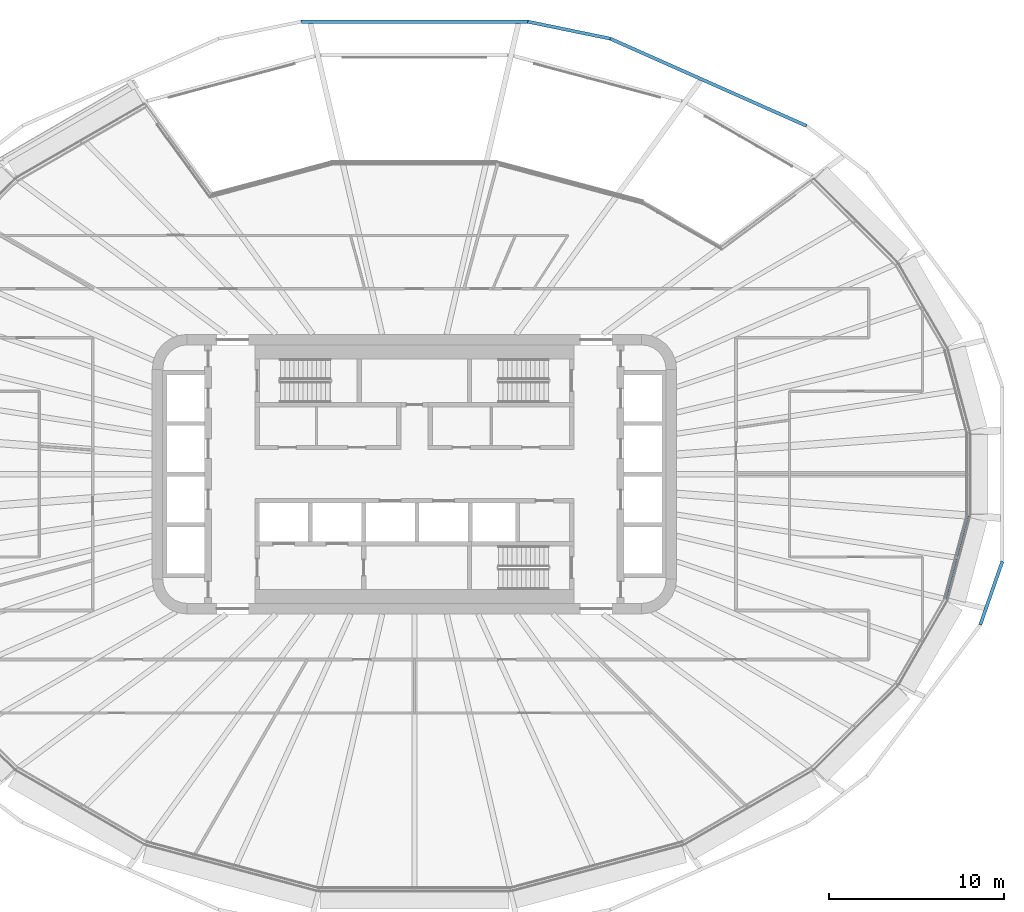
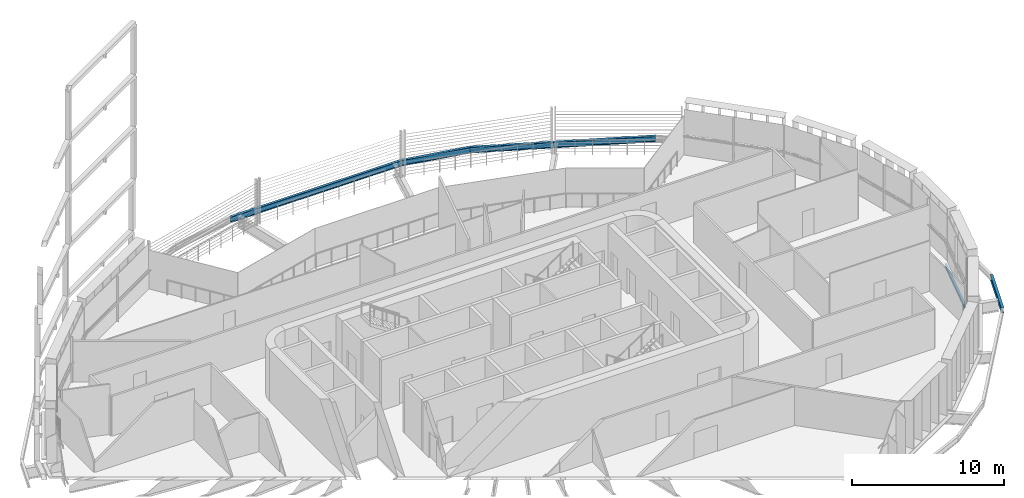
# One storey, part 10 of 25: 5 beams.
"""IFC4 building model written with IfcOpenShell, lengths in metres."""

from ifc_helpers import new_model, si_unit, direction, frame, origin, origin_2d, place, context, subcontext, project, spatial, i_section, extrude, material, material_profile, profile_set, type_object, element, save


model = new_model("IFC4")

# Units and contexts
model_context = context("Model", 3, precision=1e-05, world=origin(), true_north=direction((0.0, 1.0)))
body_context = subcontext(model_context, "Body", "Model", "MODEL_VIEW")
ifc_project = project(units=[si_unit("LENGTHUNIT", "METRE"), si_unit("AREAUNIT", "SQUARE_METRE"), si_unit("VOLUMEUNIT", "CUBIC_METRE"), si_unit("PLANEANGLEUNIT", "RADIAN"), si_unit("MASSUNIT", "GRAM", prefix="KILO")], contexts=[model_context])

# Site, building, storey
site_placement = place(None, origin())
site = spatial("IfcSite", under=ifc_project, at=site_placement, CompositionType="ELEMENT")
building_placement = place(site_placement, origin())
building = spatial("IfcBuilding", under=site, at=building_placement, Name="Sahrelin Media Tower", CompositionType="ELEMENT")
storey_placement = place(building_placement, frame((0.0, 0.0, 127.199951171875)))
storey = spatial("IfcBuildingStorey", under=building, at=storey_placement, Name="L25", CompositionType="ELEMENT", Elevation=127.199951171875)

# Beams
ifc_material = material(Name="Steel S355", Category="steel")
ifc_material_profile_1 = material_profile(ifc_material, i_section(OverallWidth=0.14599609375, OverallDepth=0.25146484375, WebThickness=0.006103515625, FlangeThickness=0.008544921875, FilletRadius=0.007568359375, at=origin_2d()), Name="UB 254x146x31")
ifc_profile_set_1 = profile_set([ifc_material_profile_1], Name="Steel S355")
beam_type_1 = type_object("IfcBeamType", Name="Edge beam EB1", PredefinedType="BEAM", material=ifc_profile_set_1)
beam_1_placement = place(storey_placement, frame((31.644287109375, -2.3701171875, -0.275634765625), z_axis=(-0.258806639616, -0.965929150244, 0.0), x_axis=(0.965929150244, -0.258806639616, 0.0)))
element("IfcBeam", 1, at=beam_1_placement, inside=storey, type_object=beam_type_1, Name="Edge beam L25-02", PredefinedType="BEAM", context=body_context, shape_type="SweptSolid", body=[
    extrude(i_section(OverallWidth=0.14599609375, OverallDepth=0.25146484375, WebThickness=0.006103515625, FlangeThickness=0.008544921875, FilletRadius=0.007568359375, at=origin_2d()), origin(), (0.0, 0.0, 1.0), 4.900634765625),
])
ifc_material_profile_2 = material_profile(ifc_material, i_section(OverallWidth=0.1904296875, OverallDepth=0.45703125, WebThickness=0.009033203125, FlangeThickness=0.014404296875, FilletRadius=0.01025390625, at=origin_2d()), Name="UB 457x191x74")
ifc_profile_set_2 = profile_set([ifc_material_profile_2], Name="Steel S355")
beam_type_2 = type_object("IfcBeamType", Name="Tie chord TC5", PredefinedType="BEAM", material=ifc_profile_set_2)
beam_2_placement = place(storey_placement, frame((22.43408203125, 19.923583984375, -0.37841796875), z_axis=(-0.913827107838, 0.406103456007, 0.0), x_axis=(-0.406103456007, -0.913827107838, 0.0)))
element("IfcBeam", 2, at=beam_2_placement, inside=storey, type_object=beam_type_2, Name="Tie chord L25-04", PredefinedType="BEAM", context=body_context, shape_type="SweptSolid", body=[
    extrude(i_section(OverallWidth=0.1904296875, OverallDepth=0.45703125, WebThickness=0.009033203125, FlangeThickness=0.014404296875, FilletRadius=0.01025390625, at=origin_2d()), origin(), (0.0, 0.0, 1.0), 12.29345703125),
])
beam_3_placement = place(storey_placement, frame((11.199951171875, 24.916015625, -0.37841796875), z_axis=(-0.979388624661, 0.201984954599, 0.0), x_axis=(-0.201984954599, -0.979388624661, 0.0)))
element("IfcBeam", 3, at=beam_3_placement, inside=storey, type_object=beam_type_2, Name="Tie chord L25-05", PredefinedType="BEAM", context=body_context, shape_type="SweptSolid", body=[
    extrude(i_section(OverallWidth=0.1904296875, OverallDepth=0.45703125, WebThickness=0.009033203125, FlangeThickness=0.014404296875, FilletRadius=0.01025390625, at=origin_2d()), origin(), (0.0, 0.0, 1.0), 4.81298828125),
])
beam_4_placement = place(storey_placement, frame((6.486083984375, 25.88818359375, -0.37841796875), z_axis=(-1.0, 0.0, 0.0), x_axis=(0.0, -1.0, 0.0)))
element("IfcBeam", 4, at=beam_4_placement, inside=storey, type_object=beam_type_2, Name="Tie chord L25-06", PredefinedType="BEAM", context=body_context, shape_type="SweptSolid", body=[
    extrude(i_section(OverallWidth=0.1904296875, OverallDepth=0.45703125, WebThickness=0.009033203125, FlangeThickness=0.014404296875, FilletRadius=0.01025390625, at=origin_2d()), origin(), (0.0, 0.0, 1.0), 12.97216796875),
])
beam_5_placement = place(storey_placement, frame((32.37109375, -8.62060546875, -0.37841796875), z_axis=(0.328725187138, 0.944425619803, 0.0), x_axis=(-0.944425619803, 0.328725187138, 0.0)))
element("IfcBeam", 5, at=beam_5_placement, inside=storey, type_object=beam_type_2, Name="Tie chord L25-23", PredefinedType="BEAM", context=body_context, shape_type="SweptSolid", body=[
    extrude(i_section(OverallWidth=0.1904296875, OverallDepth=0.45703125, WebThickness=0.009033203125, FlangeThickness=0.014404296875, FilletRadius=0.01025390625, at=origin_2d()), origin(), (0.0, 0.0, 1.0), 3.842041015625),
])

save(model, "model.ifc")
